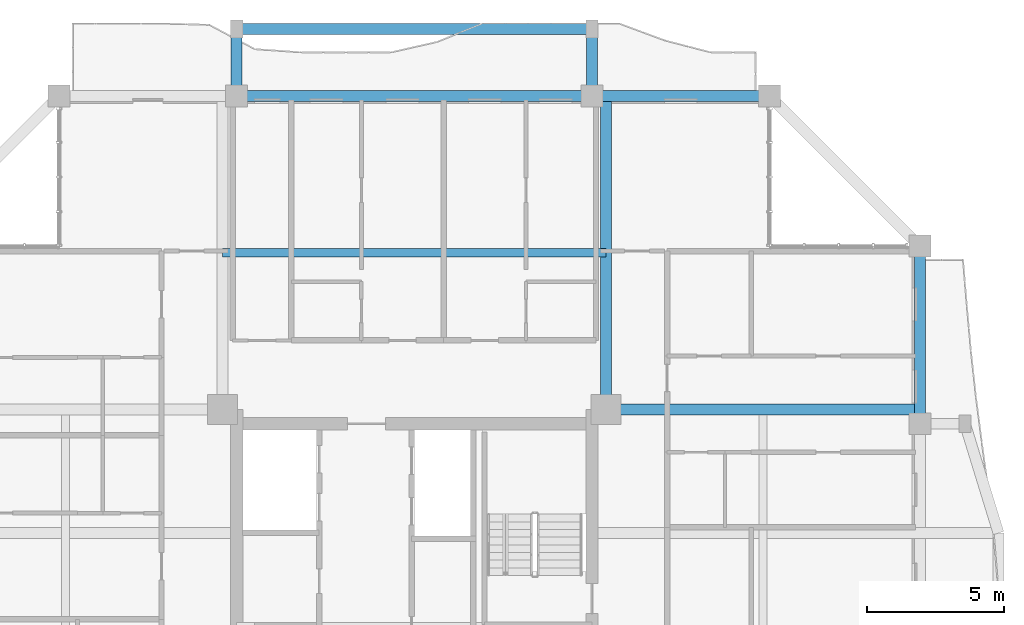
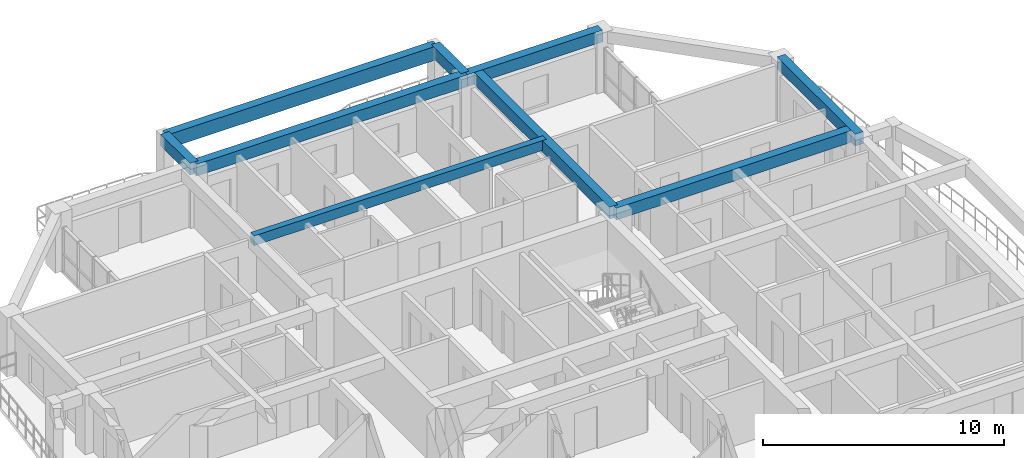
# One storey, part 7 of 22: 9 beams.
"""IFC4 building model written with IfcOpenShell, lengths in metres."""

import ifcopenshell
import ifcopenshell.guid

model = None  # the IFC model being written
_history = None  # IfcOwnerHistory: only IFC2X3 demands one
_inside = {}  # id of a spatial element -> (the spatial element, [elements in it])
_under = {}  # id of a project, library or spatial element -> (it, [spatial elements below it])
_declared = {}  # id of a project -> (the project, [libraries it declares])
_typed = {}  # id of a type object -> (the type object, [elements of that type])
_made_of = {}  # id of a material, layer set ... -> (it, [elements and type objects made of it])


def new_model(schema):
    """Start an empty IFC model of exactly this schema.

    Asked for "IFC4X3", IfcOpenShell would pick the latest addendum, in which some entities
    have other attributes; the version numbers below select the first issue.
    IFC2X3 requires an IfcOwnerHistory on every rooted entity: one is made here for all.
    """
    global model, _history
    if schema == "IFC4X3":
        model = ifcopenshell.file(schema_version=(4, 3, 0, 0))
    else:
        model = ifcopenshell.file(schema=schema)
    _inside.clear()
    _under.clear()
    _declared.clear()
    _typed.clear()
    _made_of.clear()
    _history = None
    if model.schema == "IFC2X3":
        org = make("IfcOrganization", Name="unknown")
        user = make(
            "IfcPersonAndOrganization",
            ThePerson=make("IfcPerson", FamilyName="unknown"),
            TheOrganization=org,
        )
        app = make(
            "IfcApplication",
            ApplicationDeveloper=org,
            Version="unknown",
            ApplicationFullName="unknown",
            ApplicationIdentifier="unknown",
        )
        _history = make(
            "IfcOwnerHistory",
            OwningUser=user,
            OwningApplication=app,
            ChangeAction="ADDED",
            CreationDate=0,
        )
    return model


def make(cls, **values):
    """One entity of the class cls with the attributes given. An attribute that is None is left unset."""
    return model.create_entity(
        cls, **{name: value for name, value in values.items() if value is not None}
    )


def rooted(cls, **values):
    """An entity with a GlobalId (a new one), such as an element, a storey or a relation."""
    return make(cls, GlobalId=ifcopenshell.guid.new(), OwnerHistory=_history, **values)


def si_unit(unit_type, name, prefix=None):
    """IfcSIUnit, for example si_unit("LENGTHUNIT", "METRE", prefix="MILLI")."""
    return make("IfcSIUnit", UnitType=unit_type, Prefix=prefix, Name=name)


def assignment(units):
    """IfcUnitAssignment: the units of a project."""
    return None if units is None else make("IfcUnitAssignment", Units=units)


def point(xyz):
    """IfcCartesianPoint."""
    return None if xyz is None else make("IfcCartesianPoint", Coordinates=xyz)


def direction(xyz):
    """IfcDirection."""
    return None if xyz is None else make("IfcDirection", DirectionRatios=xyz)


def frame(location, z_axis=None, x_axis=None):
    """IfcAxis2Placement3D, a coordinate frame: its origin and axes. An axis left out is left unset."""
    return make(
        "IfcAxis2Placement3D",
        Location=point(location),
        Axis=direction(z_axis),
        RefDirection=direction(x_axis),
    )


def frame_2d(location, x_axis=None):
    """IfcAxis2Placement2D, a coordinate frame in the plane: its origin and x axis."""
    return make(
        "IfcAxis2Placement2D", Location=point(location), RefDirection=direction(x_axis)
    )


def origin():
    """The frame at (0, 0, 0) with its axes left unset."""
    return frame((0.0, 0.0, 0.0))


def origin_2d():
    """The frame at (0, 0) in the plane with its x axis left unset."""
    return frame_2d((0.0, 0.0))


def place(relative_to, where):
    """IfcLocalPlacement: puts the frame where relative to a parent placement (None: the world)."""
    return make(
        "IfcLocalPlacement", PlacementRelTo=relative_to, RelativePlacement=where
    )


def context(
    kind, dimensions, precision=None, world=None, true_north=None, identifier=None
):
    """IfcGeometricRepresentationContext, for example the 3D "Model" context."""
    return make(
        "IfcGeometricRepresentationContext",
        ContextIdentifier=identifier,
        ContextType=kind,
        CoordinateSpaceDimension=dimensions,
        Precision=precision,
        WorldCoordinateSystem=world,
        TrueNorth=true_north,
    )


def subcontext(parent, identifier, kind, view, scale=None):
    """IfcGeometricRepresentationSubContext, for example "Body" below "Model"."""
    return make(
        "IfcGeometricRepresentationSubContext",
        ContextIdentifier=identifier,
        ContextType=kind,
        ParentContext=parent,
        TargetScale=scale,
        TargetView=view,
    )


def project(units=None, contexts=None):
    """IfcProject with its units and contexts."""
    return rooted(
        "IfcProject",
        Name="project",
        RepresentationContexts=contexts,
        UnitsInContext=assignment(units),
    )


def spatial(cls, under=None, at=None, **own):
    """A site, building, storey or space (cls), placed at a placement, below another one or the project."""
    s = rooted(cls, ObjectPlacement=at, **own)
    if under is not None:
        _under.setdefault(under.id(), (under, []))[1].append(s)
    return s


def profile(cls, at=None, kind="AREA", **sizes):
    """A parametric profile (cls). Its sizes go by their IFC names, for example OverallWidth=200.0."""
    return make(cls, ProfileType=kind, Position=at, **sizes)


def rectangle(**sizes):
    """IfcRectangleProfileDef."""
    return profile("IfcRectangleProfileDef", **sizes)


def extrude(swept, where, along, depth):
    """IfcExtrudedAreaSolid: the profile swept, set in the frame where, extruded along a direction by depth."""
    return make(
        "IfcExtrudedAreaSolid",
        SweptArea=swept,
        Position=where,
        ExtrudedDirection=direction(along),
        Depth=depth,
    )


def shape(context_of_items, identifier, shape_type, items):
    """IfcShapeRepresentation: the items that make up one representation, for example the "Body"."""
    return make(
        "IfcShapeRepresentation",
        ContextOfItems=context_of_items,
        RepresentationIdentifier=identifier,
        RepresentationType=shape_type,
        Items=items,
    )


def source(mapping_origin, context_of_items, identifier, shape_type, items):
    """IfcRepresentationMap: a shape defined once, which mapped items show again and again."""
    return make(
        "IfcRepresentationMap",
        MappingOrigin=mapping_origin,
        MappedRepresentation=shape(context_of_items, identifier, shape_type, items),
    )


def transform(
    local_origin,
    x_axis=None,
    y_axis=None,
    z_axis=None,
    scale=None,
    scale2=None,
    scale3=None,
    uniform=True,
):
    """IfcCartesianTransformationOperator3D, or its non-uniform kind. x_axis, y_axis, z_axis: its Axis1, 2, 3."""
    if uniform:
        return make(
            "IfcCartesianTransformationOperator3D",
            Axis1=direction(x_axis),
            Axis2=direction(y_axis),
            LocalOrigin=point(local_origin),
            Scale=scale,
            Axis3=direction(z_axis),
        )
    return make(
        "IfcCartesianTransformationOperator3DnonUniform",
        Axis1=direction(x_axis),
        Axis2=direction(y_axis),
        LocalOrigin=point(local_origin),
        Scale=scale,
        Axis3=direction(z_axis),
        Scale2=scale2,
        Scale3=scale3,
    )


def mapped(mapping_source, mapping_target):
    """IfcMappedItem: shows the shape of a source again, moved by a transform."""
    return make(
        "IfcMappedItem", MappingSource=mapping_source, MappingTarget=mapping_target
    )


def material(Name=None, Category=None):
    """IfcMaterial."""
    return make("IfcMaterial", Name=Name, Category=Category)


def material_profile(
    of_material, cross_section, Name=None, Category=None, Priority=None
):
    """IfcMaterialProfile: a cross section and its material."""
    return make(
        "IfcMaterialProfile",
        Name=Name,
        Material=of_material,
        Profile=cross_section,
        Priority=Priority,
        Category=Category,
    )


def profile_set(profiles, Name=None, composite=None):
    """IfcMaterialProfileSet."""
    return make(
        "IfcMaterialProfileSet",
        Name=Name,
        MaterialProfiles=profiles,
        CompositeProfile=composite,
    )


def made_of(thing, what):
    """Note that an element or type object is made of a material, layer set ...; save() writes the relation."""
    if what is not None:
        _made_of.setdefault(what.id(), (what, []))[1].append(thing)
    return thing


def type_object(cls, material=None, **own):
    """A type object (cls), such as IfcWallType, which elements share."""
    return made_of(rooted(cls, **own), material)


def element(
    cls,
    number,
    at=None,
    inside=None,
    cuts=None,
    type_object=None,
    material=None,
    context=None,
    identifier="Body",
    shape_type=None,
    held_by="IfcProductDefinitionShape",
    body=None,
    shapes=None,
    **own,
):
    """One element of the class cls, such as IfcWall. Its Tag is "e" and its number.

    at: its placement. inside: the storey or other place that contains it. cuts: it is an
    opening in that element (IfcRelVoidsElement). A single representation is given by context,
    identifier, shape_type and body (its items); several are given by shapes. held_by: the class
    of the entity that holds the representations. save() writes the other relations.
    """
    e = rooted(cls, Tag="e%d" % number, ObjectPlacement=at, **own)
    if body is not None:
        shapes = [shape(context, identifier, shape_type, body)]
    if shapes is not None:
        e.Representation = make(held_by, Representations=shapes)
    if inside is not None:
        _inside.setdefault(inside.id(), (inside, []))[1].append(e)
    if cuts is not None:
        rooted(
            "IfcRelVoidsElement", RelatingBuildingElement=cuts, RelatedOpeningElement=e
        )
    if type_object is not None:
        _typed.setdefault(type_object.id(), (type_object, []))[1].append(e)
    return made_of(e, material)


def aggregate(whole, parts):
    """IfcRelAggregates: a whole, such as a stair, and the parts it consists of."""
    return rooted("IfcRelAggregates", RelatingObject=whole, RelatedObjects=parts)


def save(model, path):
    """Write the relations noted so far, then the file.

    IfcRelAggregates (storeys below a building ...), IfcRelContainedInSpatialStructure (elements
    in a storey), IfcRelDefinesByType, IfcRelAssociatesMaterial and IfcRelDeclares: one each for
    every whole, place, type object, material and project.
    """
    for whole, parts in _under.values():
        aggregate(whole, parts)
    for where, things in _inside.values():
        rooted(
            "IfcRelContainedInSpatialStructure",
            RelatedElements=things,
            RelatingStructure=where,
        )
    for kind, things in _typed.values():
        rooted("IfcRelDefinesByType", RelatedObjects=things, RelatingType=kind)
    for what, things in _made_of.values():
        rooted("IfcRelAssociatesMaterial", RelatedObjects=things, RelatingMaterial=what)
    for by, libraries in _declared.values():
        rooted("IfcRelDeclares", RelatingContext=by, RelatedDefinitions=libraries)
    model.write(path)


model = new_model("IFC4")

# Units and contexts
model_context = context("Model", 3, precision=1e-05, world=origin(), true_north=direction((0.0, 1.0)))
body_context = subcontext(model_context, "Body", "Model", "MODEL_VIEW")
ifc_project = project(units=[si_unit("LENGTHUNIT", "METRE"), si_unit("AREAUNIT", "SQUARE_METRE"), si_unit("VOLUMEUNIT", "CUBIC_METRE"), si_unit("PLANEANGLEUNIT", "RADIAN"), si_unit("MASSUNIT", "GRAM", prefix="KILO")], contexts=[model_context])

# Site, building, storey
site_placement = place(None, origin())
site = spatial("IfcSite", under=ifc_project, at=site_placement, CompositionType="ELEMENT")
building_placement = place(site_placement, origin())
building = spatial("IfcBuilding", under=site, at=building_placement, Name="Saelheon Loggia Tower", CompositionType="ELEMENT")
storey_placement = place(building_placement, frame((0.0, 0.0, 196.60009765625)))
storey = spatial("IfcBuildingStorey", under=building, at=storey_placement, Name="L61", CompositionType="ELEMENT", Elevation=196.60009765625)

# Beams
ifc_material_1 = material(Name="Precast Concrete C45/55", Category="concrete")
ifc_material_profile_1 = material_profile(ifc_material_1, rectangle(XDim=0.39990234375, YDim=0.60009765625, at=origin_2d()), Name="RC-400x600")
ifc_profile_set_1 = profile_set([ifc_material_profile_1], Name="Precast Concrete C45/55")
beam_type_1 = type_object("IfcBeamType", Name="Beam_LoggiaTie_RC400x600", PredefinedType="BEAM", material=ifc_profile_set_1)
shared_shape_1 = source(origin(), body_context, "Body", "SweptSolid", [
    extrude(rectangle(XDim=0.39990234375, YDim=0.60009765625, at=origin_2d()), origin(), (0.0, 0.0, 1.0), 2.449951171875),
])
for number, where, z_axis, x_axis, name in (
    (1, (31.5, 48.0, 2.699951171875), (0.0, 1.0, 0.0), (-1.0, 0.0, 0.0), "L61 Loggia Frame Tie Beam LP-N1"),
    (2, (44.5, 48.0, 2.699951171875), (0.0, 1.0, 0.0), (-1.0, 0.0, 0.0), "L61 Loggia Frame Tie Beam LP-N2"),
):
    element("IfcBeam", number, at=place(storey_placement, frame(where, z_axis=z_axis, x_axis=x_axis)), inside=storey, type_object=beam_type_1, Name=name, PredefinedType="BEAM", context=body_context, shape_type="MappedRepresentation", body=[
        mapped(shared_shape_1, transform((0.0, 0.0, 0.0), scale=1.0)),
    ])
ifc_material_2 = material(Name="Concrete C40/50", Category="concrete")
ifc_material_profile_2 = material_profile(ifc_material_2, rectangle(XDim=0.300048828125, YDim=0.5, at=origin_2d()), Name="RC-300x500")
ifc_profile_set_2 = profile_set([ifc_material_profile_2], Name="Concrete C40/50")
beam_type_2 = type_object("IfcBeamType", Name="Beam_Joist_RC300x500", PredefinedType="JOIST", material=ifc_profile_set_2)
shared_shape_2 = source(origin(), body_context, "Body", "SweptSolid", [
    extrude(rectangle(XDim=0.300048828125, YDim=0.5, at=origin_2d()), origin(), (0.0, 0.0, 1.0), 14.0400390625),
])
beam_1_placement = place(storey_placement, frame((30.97998046875, 42.260009765625, 2.75), z_axis=(1.0, 0.0, 0.0), x_axis=(0.0, 1.0, 0.0)))
element("IfcBeam", 3, at=beam_1_placement, inside=storey, type_object=beam_type_2, Name="L61 North Floor Joist", PredefinedType="JOIST", context=body_context, shape_type="MappedRepresentation", body=[
    mapped(shared_shape_2, transform((0.0, 0.0, 0.0), scale=1.0)),
])
ifc_material_profile_3 = material_profile(ifc_material_1, rectangle(XDim=0.39990234375, YDim=0.699951171875, at=origin_2d()), Name="RC-400x700")
ifc_profile_set_3 = profile_set([ifc_material_profile_3], Name="Precast Concrete C45/55")
beam_type_3 = type_object("IfcBeamType", Name="Beam_LoggiaSpandrel_RC400x700", PredefinedType="SPANDREL", material=ifc_profile_set_3)
shared_shape_3 = source(origin(), body_context, "Body", "SweptSolid", [
    extrude(rectangle(XDim=0.39990234375, YDim=0.699951171875, at=origin_2d()), origin(), (0.0, 0.0, 1.0), 13.0),
])
beam_2_placement = place(storey_placement, frame((31.5, 50.449951171875, 2.64990234375), z_axis=(1.0, 0.0, 0.0), x_axis=(0.0, 1.0, 0.0)))
element("IfcBeam", 4, at=beam_2_placement, inside=storey, type_object=beam_type_3, Name="L61 Loggia Spandrel Beam N", PredefinedType="SPANDREL", context=body_context, shape_type="MappedRepresentation", body=[
    mapped(shared_shape_3, transform((0.0, 0.0, 0.0), scale=1.0)),
])
ifc_material_profile_4 = material_profile(ifc_material_2, rectangle(XDim=0.39990234375, YDim=0.60009765625, at=origin_2d()), Name="RC-400x600")
ifc_profile_set_4 = profile_set([ifc_material_profile_4], Name="Concrete C40/50")
beam_type_4 = type_object("IfcBeamType", Name="Beam_PerimUpper_RC400x600", PredefinedType="BEAM", material=ifc_profile_set_4)
shared_shape_4 = source(origin(), body_context, "Body", "SweptSolid", [
    extrude(rectangle(XDim=0.39990234375, YDim=0.60009765625, at=origin_2d()), origin(), (0.0, 0.0, 1.0), 13.0),
])
beam_3_placement = place(storey_placement, frame((44.5, 48.0, 2.699951171875), z_axis=(-1.0, 0.0, 0.0), x_axis=(0.0, -1.0, 0.0)))
element("IfcBeam", 5, at=beam_3_placement, inside=storey, type_object=beam_type_4, Name="L61 Perimeter Frame Girder 10", PredefinedType="BEAM", context=body_context, shape_type="MappedRepresentation", body=[
    mapped(shared_shape_4, transform((0.0, 0.0, 0.0), scale=1.0)),
])
ifc_material_profile_5 = material_profile(ifc_material_2, rectangle(XDim=0.39990234375, YDim=0.60009765625, at=origin_2d()), Name="RC-400x600")
ifc_profile_set_5 = profile_set([ifc_material_profile_5], Name="Concrete C40/50")
beam_type_5 = type_object("IfcBeamType", Name="Beam_UpperGirder_RC400x600", PredefinedType="BEAM", material=ifc_profile_set_5)
shared_shape_5 = source(origin(), body_context, "Body", "SweptSolid", [
    extrude(rectangle(XDim=0.39990234375, YDim=0.60009765625, at=origin_2d()), origin(), (0.0, 0.0, 1.0), 11.47998046875),
])
for number, where, z_axis, x_axis, name in (
    (6, (45.02001953125, 36.52001953125, 2.699951171875), (0.0, 1.0, 0.0), (-1.0, 0.0, 0.0), "L61 Radial Floor Girder RAD-NE-N"),
    (7, (45.02001953125, 36.52001953125, 2.699951171875), (1.0, 0.0, 0.0), (0.0, 1.0, 0.0), "L61 Radial Floor Girder RAD-NE-E"),
):
    element("IfcBeam", number, at=place(storey_placement, frame(where, z_axis=z_axis, x_axis=x_axis)), inside=storey, type_object=beam_type_5, Name=name, PredefinedType="BEAM", context=body_context, shape_type="MappedRepresentation", body=[
        mapped(shared_shape_5, transform((0.0, 0.0, 0.0), scale=1.0)),
    ])
shared_shape_6 = source(origin(), body_context, "Body", "SweptSolid", [
    extrude(rectangle(XDim=0.39990234375, YDim=0.60009765625, at=origin_2d()), origin(), (0.0, 0.0, 1.0), 6.5),
])
for number, where, z_axis, x_axis, name in (
    (8, (56.5, 36.0, 2.699951171875), (0.0, 1.0, 0.0), (-1.0, 0.0, 0.0), "L61 Perimeter Frame Girder 07"),
    (9, (51.0, 48.0, 2.699951171875), (-1.0, 0.0, 0.0), (0.0, -1.0, 0.0), "L61 Perimeter Frame Girder 09"),
):
    element("IfcBeam", number, at=place(storey_placement, frame(where, z_axis=z_axis, x_axis=x_axis)), inside=storey, type_object=beam_type_4, Name=name, PredefinedType="BEAM", context=body_context, shape_type="MappedRepresentation", body=[
        mapped(shared_shape_6, transform((0.0, 0.0, 0.0), scale=1.0)),
    ])

save(model, "model.ifc")
